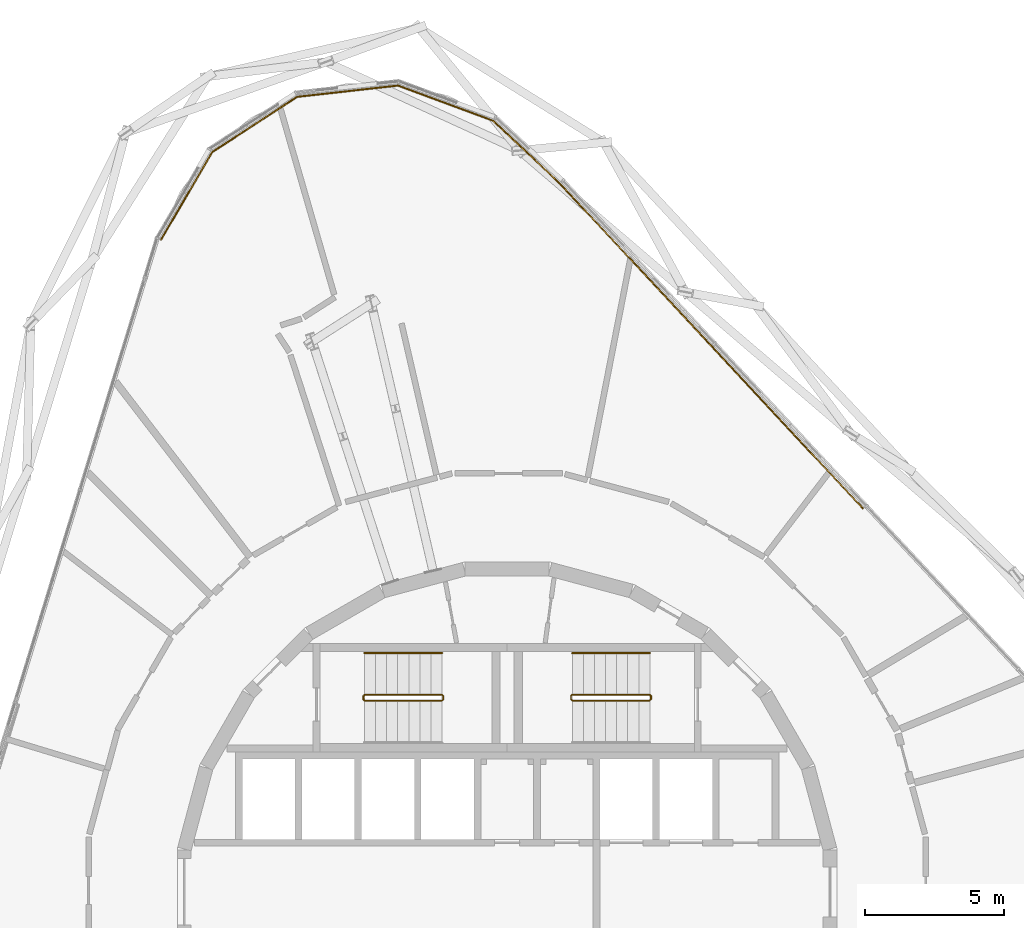
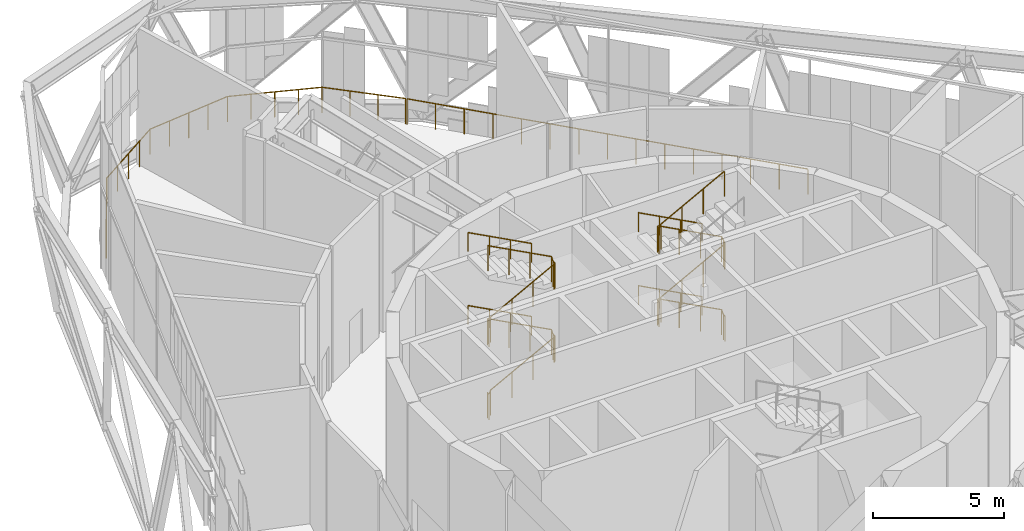
# One storey, part 25 of 25: 8 railings.
"""IFC4 building model written with IfcOpenShell, lengths in metres."""

from ifc_helpers import new_model, si_unit, direction, frame, origin, origin_2d, place, context, subcontext, project, spatial, circle, extrude, material, type_object, element, save


model = new_model("IFC4")

# Units and contexts
model_context = context("Model", 3, precision=1e-05, world=origin(), true_north=direction((0.0, 1.0)))
body_context = subcontext(model_context, "Body", "Model", "MODEL_VIEW")
ifc_project = project(units=[si_unit("LENGTHUNIT", "METRE"), si_unit("AREAUNIT", "SQUARE_METRE"), si_unit("VOLUMEUNIT", "CUBIC_METRE"), si_unit("PLANEANGLEUNIT", "RADIAN"), si_unit("MASSUNIT", "GRAM", prefix="KILO")], contexts=[model_context])

# Site, building, storey
site_placement = place(None, origin())
site = spatial("IfcSite", under=ifc_project, at=site_placement, CompositionType="ELEMENT")
building_placement = place(site_placement, origin())
building = spatial("IfcBuilding", under=site, at=building_placement, Name="Spindle Arch Residences", CompositionType="ELEMENT")
storey_placement = place(building_placement, frame((0.0, 0.0, 144.89990234375)))
storey = spatial("IfcBuildingStorey", under=building, at=storey_placement, Name="L36", CompositionType="ELEMENT", Elevation=144.89990234375)

# Railings
ifc_material_1 = material(Name="Bronze anodised aluminium guard with glass infill", Category="aluminium")
railing_type_1 = type_object("IfcRailingType", Name="Facade guard 1200", PredefinedType="GUARDRAIL", material=ifc_material_1)
railing_1_placement = place(storey_placement, frame((12.83154296875, 13.83642578125, 0.0)))
element("IfcRailing", 1, at=railing_1_placement, inside=storey, type_object=railing_type_1, Name="Facade guard L36 2", PredefinedType="GUARDRAIL", context=body_context, shape_type="SweptSolid", body=[
    extrude(circle(Radius=0.02392578125, at=origin_2d()), frame((0.0, 0.0, 1.17578125), z_axis=(-0.681991948358, 0.731359680578, 0.0), x_axis=(-0.731359680578, -0.681991948358, 0.0)), (0.0, 0.0, 1.0), 15.998291015625),
    extrude(circle(Radius=0.02099609375, at=origin_2d()), origin(), (0.0, 0.0, 1.0), 1.15185546875),
    extrude(circle(Radius=0.02099609375, at=origin_2d()), frame((-0.779296875, 0.835693359375, 0.0)), (0.0, 0.0, 1.0), 1.15185546875),
    extrude(circle(Radius=0.02099609375, at=origin_2d()), frame((-1.55859375, 1.67138671875, 0.0)), (0.0, 0.0, 1.0), 1.15185546875),
    extrude(circle(Radius=0.02099609375, at=origin_2d()), frame((-2.337890625, 2.50732421875, 0.0)), (0.0, 0.0, 1.0), 1.15185546875),
    extrude(circle(Radius=0.02099609375, at=origin_2d()), frame((-3.117431640625, 3.343017578125, 0.0)), (0.0, 0.0, 1.0), 1.15185546875),
    extrude(circle(Radius=0.02099609375, at=origin_2d()), frame((-3.896728515625, 4.1787109375, 0.0)), (0.0, 0.0, 1.0), 1.15185546875),
    extrude(circle(Radius=0.02099609375, at=origin_2d()), frame((-4.676025390625, 5.014404296875, 0.0)), (0.0, 0.0, 1.0), 1.15185546875),
    extrude(circle(Radius=0.02099609375, at=origin_2d()), frame((-5.455322265625, 5.85009765625, 0.0)), (0.0, 0.0, 1.0), 1.15185546875),
    extrude(circle(Radius=0.02099609375, at=origin_2d()), frame((-6.234619140625, 6.68603515625, 0.0)), (0.0, 0.0, 1.0), 1.15185546875),
    extrude(circle(Radius=0.02099609375, at=origin_2d()), frame((-7.013916015625, 7.521728515625, 0.0)), (0.0, 0.0, 1.0), 1.15185546875),
    extrude(circle(Radius=0.02099609375, at=origin_2d()), frame((-7.793212890625, 8.357421875, 0.0)), (0.0, 0.0, 1.0), 1.15185546875),
    extrude(circle(Radius=0.02099609375, at=origin_2d()), frame((-8.57275390625, 9.193115234375, 0.0)), (0.0, 0.0, 1.0), 1.15185546875),
    extrude(circle(Radius=0.02099609375, at=origin_2d()), frame((-9.35205078125, 10.029052734375, 0.0)), (0.0, 0.0, 1.0), 1.15185546875),
    extrude(circle(Radius=0.02099609375, at=origin_2d()), frame((-10.13134765625, 10.86474609375, 0.0)), (0.0, 0.0, 1.0), 1.15185546875),
    extrude(circle(Radius=0.02099609375, at=origin_2d()), frame((-10.91064453125, 11.700439453125, 0.0)), (0.0, 0.0, 1.0), 1.15185546875),
])
railing_2_placement = place(storey_placement, frame((1.885498046875, 25.572509765625, 0.0)))
element("IfcRailing", 2, at=railing_2_placement, inside=storey, type_object=railing_type_1, Name="Facade guard L36 3", PredefinedType="GUARDRAIL", context=body_context, shape_type="SweptSolid", body=[
    extrude(circle(Radius=0.02392578125, at=origin_2d()), frame((0.0, 0.0, 1.17578125), z_axis=(-0.72826996669, 0.685290344027, 0.0), x_axis=(-0.685290344027, -0.72826996669, 0.0)), (0.0, 0.0, 1.0), 3.277587890625),
    extrude(circle(Radius=0.02392578125, at=origin_2d()), frame((-2.386962890625, 2.24609375, 1.17578125), z_axis=(-0.937709392777, 0.347420630788, 0.0), x_axis=(-0.347420630788, -0.937709392777, 0.0)), (0.0, 0.0, 1.0), 3.666015625),
    extrude(circle(Radius=0.02392578125, at=origin_2d()), frame((-5.82470703125, 3.519775390625, 1.17578125), z_axis=(-0.99382250735, -0.110981187074, 0.0), x_axis=(0.110981187074, -0.99382250735, 0.0)), (0.0, 0.0, 1.0), 3.65625),
    extrude(circle(Radius=0.02392578125, at=origin_2d()), frame((-9.458251953125, 3.114013671875, 1.17578125), z_axis=(-0.838294074339, -0.545218346103, 0.0), x_axis=(0.545218346103, -0.838294074339, 0.0)), (0.0, 0.0, 1.0), 3.65625),
    extrude(circle(Radius=0.02392578125, at=origin_2d()), frame((-12.523193359375, 1.12060546875, 1.17578125), z_axis=(-0.504464591672, -0.863432380531, 0.0), x_axis=(0.863432380531, -0.504464591672, 0.0)), (0.0, 0.0, 1.0), 3.65625),
    extrude(circle(Radius=0.02099609375, at=origin_2d()), origin(), (0.0, 0.0, 1.0), 1.15185546875),
    extrude(circle(Radius=0.02099609375, at=origin_2d()), frame((-0.795654296875, 0.748779296875, 0.0)), (0.0, 0.0, 1.0), 1.15185546875),
    extrude(circle(Radius=0.02099609375, at=origin_2d()), frame((-1.59130859375, 1.497314453125, 0.0)), (0.0, 0.0, 1.0), 1.15185546875),
    extrude(circle(Radius=0.02099609375, at=origin_2d()), frame((-2.386962890625, 2.24609375, 0.0)), (0.0, 0.0, 1.0), 1.15185546875),
    extrude(circle(Radius=0.02099609375, at=origin_2d()), frame((-3.246337890625, 2.564453125, 0.0)), (0.0, 0.0, 1.0), 1.15185546875),
    extrude(circle(Radius=0.02099609375, at=origin_2d()), frame((-4.10595703125, 2.8828125, 0.0)), (0.0, 0.0, 1.0), 1.15185546875),
    extrude(circle(Radius=0.02099609375, at=origin_2d()), frame((-4.96533203125, 3.201416015625, 0.0)), (0.0, 0.0, 1.0), 1.15185546875),
    extrude(circle(Radius=0.02099609375, at=origin_2d()), frame((-5.82470703125, 3.519775390625, 0.0)), (0.0, 0.0, 1.0), 1.15185546875),
    extrude(circle(Radius=0.02099609375, at=origin_2d()), frame((-6.733154296875, 3.41845703125, 0.0)), (0.0, 0.0, 1.0), 1.15185546875),
    extrude(circle(Radius=0.02099609375, at=origin_2d()), frame((-7.6416015625, 3.31689453125, 0.0)), (0.0, 0.0, 1.0), 1.15185546875),
    extrude(circle(Radius=0.02099609375, at=origin_2d()), frame((-8.5498046875, 3.21533203125, 0.0)), (0.0, 0.0, 1.0), 1.15185546875),
    extrude(circle(Radius=0.02099609375, at=origin_2d()), frame((-9.458251953125, 3.114013671875, 0.0)), (0.0, 0.0, 1.0), 1.15185546875),
    extrude(circle(Radius=0.02099609375, at=origin_2d()), frame((-10.224609375, 2.61572265625, 0.0)), (0.0, 0.0, 1.0), 1.15185546875),
    extrude(circle(Radius=0.02099609375, at=origin_2d()), frame((-10.99072265625, 2.1171875, 0.0)), (0.0, 0.0, 1.0), 1.15185546875),
    extrude(circle(Radius=0.02099609375, at=origin_2d()), frame((-11.7568359375, 1.618896484375, 0.0)), (0.0, 0.0, 1.0), 1.15185546875),
    extrude(circle(Radius=0.02099609375, at=origin_2d()), frame((-12.523193359375, 1.12060546875, 0.0)), (0.0, 0.0, 1.0), 1.15185546875),
    extrude(circle(Radius=0.02099609375, at=origin_2d()), frame((-12.984375, 0.331298828125, 0.0)), (0.0, 0.0, 1.0), 1.15185546875),
    extrude(circle(Radius=0.02099609375, at=origin_2d()), frame((-13.4453125, -0.4580078125, 0.0)), (0.0, 0.0, 1.0), 1.15185546875),
    extrude(circle(Radius=0.02099609375, at=origin_2d()), frame((-13.906494140625, -1.2470703125, 0.0)), (0.0, 0.0, 1.0), 1.15185546875),
    extrude(circle(Radius=0.02099609375, at=origin_2d()), frame((-14.36767578125, -2.036376953125, 0.0)), (0.0, 0.0, 1.0), 1.15185546875),
])
ifc_material_2 = material(Name="Steel, painted", Category="steel")
railing_type_2 = type_object("IfcRailingType", Name="Stair guard 1100", PredefinedType="GUARDRAIL", material=ifc_material_2)
railing_3_placement = place(storey_placement, frame((5.14990234375, 6.89990234375, 6.800048828125)))
element("IfcRailing", 3, at=railing_3_placement, inside=storey, type_object=railing_type_2, Name="L36 ST1 stair guard 1", PredefinedType="GUARDRAIL", context=body_context, shape_type="SweptSolid", body=[
    extrude(circle(Radius=0.02392578125, at=origin_2d()), frame((0.0, 0.0, 1.17578125), z_axis=(-0.883095778239, 0.0, -0.469192760447), x_axis=(0.0, -1.0, 0.0)), (0.0, 0.0, 1.0), 3.17041015625),
    extrude(circle(Radius=0.02392578125, at=origin_2d()), frame((-2.7998046875, 0.0, -0.3115234375), z_axis=(-0.223546962728, 0.223546962728, -0.948711500357), x_axis=(-0.707106781187, -0.707106781187, 0.0)), (0.0, 0.0, 1.0), 0.223876953125),
    extrude(circle(Radius=0.02392578125, at=origin_2d()), frame((-2.849853515625, 0.050048828125, -0.52392578125), z_axis=(0.0, 1.0, 0.0), x_axis=(-1.0, 0.0, 0.0)), (0.0, 0.0, 1.0), 0.1201171875),
    extrude(circle(Radius=0.02392578125, at=origin_2d()), frame((-2.849853515625, 0.170166015625, -0.52392578125), z_axis=(0.707106781187, 0.707106781187, 0.0), x_axis=(-0.707106781187, 0.707106781187, 0.0)), (0.0, 0.0, 1.0), 0.07080078125),
    extrude(circle(Radius=0.02392578125, at=origin_2d()), frame((-2.7998046875, 0.22021484375, -0.52392578125), z_axis=(0.883095778239, 0.0, -0.469192760447), x_axis=(0.0, 1.0, 0.0)), (0.0, 0.0, 1.0), 3.17041015625),
    extrude(circle(Radius=0.02392578125, at=origin_2d()), frame((0.0, 0.22021484375, -2.01171875), z_axis=(0.180861968005, -0.614930691216, -0.767560547142), x_axis=(0.959365501571, 0.282166323992, 0.0)), (0.0, 0.0, 1.0), 0.276611328125),
    extrude(circle(Radius=0.02392578125, at=origin_2d()), frame((0.050048828125, 0.050048828125, -2.22412109375), z_axis=(0.0, 1.0, 0.0), x_axis=(-1.0, 0.0, 0.0)), (0.0, 0.0, 1.0), 0.1201171875),
    extrude(circle(Radius=0.02392578125, at=origin_2d()), frame((0.050048828125, 0.170166015625, -2.22412109375), z_axis=(-0.282166323992, -0.959365501571, 0.0), x_axis=(0.959365501571, -0.282166323992, 0.0)), (0.0, 0.0, 1.0), 0.177490234375),
    extrude(circle(Radius=0.02392578125, at=origin_2d()), frame((0.0, 0.0, -2.22412109375), z_axis=(-0.883095778239, 0.0, -0.469192760447), x_axis=(0.0, -1.0, 0.0)), (0.0, 0.0, 1.0), 3.17041015625),
    extrude(circle(Radius=0.02392578125, at=origin_2d()), frame((-2.7998046875, 0.0, -3.71142578125), z_axis=(-0.223546962728, 0.223546962728, -0.948711500357), x_axis=(-0.707106781187, -0.707106781187, 0.0)), (0.0, 0.0, 1.0), 0.223876953125),
    extrude(circle(Radius=0.02392578125, at=origin_2d()), frame((-2.849853515625, 0.050048828125, -3.923828125), z_axis=(0.0, 1.0, 0.0), x_axis=(-1.0, 0.0, 0.0)), (0.0, 0.0, 1.0), 0.1201171875),
    extrude(circle(Radius=0.02392578125, at=origin_2d()), frame((-2.849853515625, 0.170166015625, -3.923828125), z_axis=(0.707106781187, 0.707106781187, 0.0), x_axis=(-0.707106781187, 0.707106781187, 0.0)), (0.0, 0.0, 1.0), 0.07080078125),
    extrude(circle(Radius=0.02392578125, at=origin_2d()), frame((-2.7998046875, 0.22021484375, -3.923828125), z_axis=(0.883095778239, 0.0, -0.469192760447), x_axis=(0.0, 1.0, 0.0)), (0.0, 0.0, 1.0), 3.17041015625),
    extrude(circle(Radius=0.02392578125, at=origin_2d()), frame((0.0, 0.22021484375, -5.41162109375), z_axis=(0.223315919267, -0.223315919267, -0.9488203204), x_axis=(0.707106781187, 0.707106781187, 0.0)), (0.0, 0.0, 1.0), 0.22412109375),
    extrude(circle(Radius=0.02392578125, at=origin_2d()), frame((0.050048828125, 0.170166015625, -5.6240234375), z_axis=(0.0, -1.0, 0.0), x_axis=(1.0, 0.0, 0.0)), (0.0, 0.0, 1.0), 0.1201171875),
    extrude(circle(Radius=0.02099609375, at=origin_2d()), origin(), (0.0, 0.0, 1.0), 1.15185546875),
    extrude(circle(Radius=0.02099609375, at=origin_2d()), frame((-0.933349609375, 0.0, -0.495849609375)), (0.0, 0.0, 1.0), 1.15185546875),
    extrude(circle(Radius=0.02099609375, at=origin_2d()), frame((-1.866455078125, 0.0, -0.99169921875)), (0.0, 0.0, 1.0), 1.15185546875),
    extrude(circle(Radius=0.02099609375, at=origin_2d()), frame((-2.7998046875, 0.0, -1.487548828125)), (0.0, 0.0, 1.0), 1.15185546875),
    extrude(circle(Radius=0.02099609375, at=origin_2d()), frame((-2.849853515625, 0.050048828125, -1.699951171875)), (0.0, 0.0, 1.0), 1.15185546875),
    extrude(circle(Radius=0.02099609375, at=origin_2d()), frame((-2.849853515625, 0.170166015625, -1.699951171875)), (0.0, 0.0, 1.0), 1.15185546875),
    extrude(circle(Radius=0.02099609375, at=origin_2d()), frame((-2.7998046875, 0.22021484375, -1.699951171875)), (0.0, 0.0, 1.0), 1.15185546875),
    extrude(circle(Radius=0.02099609375, at=origin_2d()), frame((-1.866455078125, 0.22021484375, -2.19580078125)), (0.0, 0.0, 1.0), 1.15185546875),
    extrude(circle(Radius=0.02099609375, at=origin_2d()), frame((-0.933349609375, 0.22021484375, -2.691650390625)), (0.0, 0.0, 1.0), 1.15185546875),
    extrude(circle(Radius=0.02099609375, at=origin_2d()), frame((0.0, 0.22021484375, -3.1875)), (0.0, 0.0, 1.0), 1.15185546875),
    extrude(circle(Radius=0.02099609375, at=origin_2d()), frame((0.050048828125, 0.050048828125, -3.39990234375)), (0.0, 0.0, 1.0), 1.15185546875),
    extrude(circle(Radius=0.02099609375, at=origin_2d()), frame((0.050048828125, 0.170166015625, -3.39990234375)), (0.0, 0.0, 1.0), 1.15185546875),
    extrude(circle(Radius=0.02099609375, at=origin_2d()), frame((0.0, 0.0, -3.39990234375)), (0.0, 0.0, 1.0), 1.15185546875),
    extrude(circle(Radius=0.02099609375, at=origin_2d()), frame((-0.933349609375, 0.0, -3.895751953125)), (0.0, 0.0, 1.0), 1.15185546875),
    extrude(circle(Radius=0.02099609375, at=origin_2d()), frame((-1.866455078125, 0.0, -4.3916015625)), (0.0, 0.0, 1.0), 1.15185546875),
    extrude(circle(Radius=0.02099609375, at=origin_2d()), frame((-2.7998046875, 0.0, -4.887451171875)), (0.0, 0.0, 1.0), 1.15185546875),
    extrude(circle(Radius=0.02099609375, at=origin_2d()), frame((-2.849853515625, 0.050048828125, -5.099853515625)), (0.0, 0.0, 1.0), 1.15185546875),
    extrude(circle(Radius=0.02099609375, at=origin_2d()), frame((-2.849853515625, 0.170166015625, -5.099853515625)), (0.0, 0.0, 1.0), 1.15185546875),
    extrude(circle(Radius=0.02099609375, at=origin_2d()), frame((-2.7998046875, 0.22021484375, -5.099853515625)), (0.0, 0.0, 1.0), 1.15185546875),
    extrude(circle(Radius=0.02099609375, at=origin_2d()), frame((-1.866455078125, 0.22021484375, -5.595703125)), (0.0, 0.0, 1.0), 1.15185546875),
    extrude(circle(Radius=0.02099609375, at=origin_2d()), frame((-0.933349609375, 0.22021484375, -6.091552734375)), (0.0, 0.0, 1.0), 1.15185546875),
    extrude(circle(Radius=0.02099609375, at=origin_2d()), frame((0.0, 0.22021484375, -6.58740234375)), (0.0, 0.0, 1.0), 1.15185546875),
    extrude(circle(Radius=0.02099609375, at=origin_2d()), frame((0.050048828125, 0.170166015625, -6.800048828125)), (0.0, 0.0, 1.0), 1.15185546875),
    extrude(circle(Radius=0.02099609375, at=origin_2d()), frame((0.050048828125, 0.050048828125, -6.800048828125)), (0.0, 0.0, 1.0), 1.15185546875),
])
railing_4_placement = place(storey_placement, frame((-5.14990234375, 7.1201171875, 6.800048828125)))
element("IfcRailing", 4, at=railing_4_placement, inside=storey, type_object=railing_type_2, Name="L36 ST2 stair guard 1", PredefinedType="GUARDRAIL", context=body_context, shape_type="SweptSolid", body=[
    extrude(circle(Radius=0.02392578125, at=origin_2d()), frame((0.0, 0.0, 1.17578125), z_axis=(0.883095778239, 0.0, -0.469192760447), x_axis=(0.0, 1.0, 0.0)), (0.0, 0.0, 1.0), 3.17041015625),
    extrude(circle(Radius=0.02392578125, at=origin_2d()), frame((2.7998046875, 0.0, -0.3115234375), z_axis=(0.223546962728, -0.223546962728, -0.948711500357), x_axis=(0.707106781187, 0.707106781187, 0.0)), (0.0, 0.0, 1.0), 0.223876953125),
    extrude(circle(Radius=0.02392578125, at=origin_2d()), frame((2.849853515625, -0.050048828125, -0.52392578125), z_axis=(0.0, -1.0, 0.0), x_axis=(1.0, 0.0, 0.0)), (0.0, 0.0, 1.0), 0.1201171875),
    extrude(circle(Radius=0.02392578125, at=origin_2d()), frame((2.849853515625, -0.170166015625, -0.52392578125), z_axis=(-0.707106781187, -0.707106781187, 0.0), x_axis=(0.707106781187, -0.707106781187, 0.0)), (0.0, 0.0, 1.0), 0.07080078125),
    extrude(circle(Radius=0.02392578125, at=origin_2d()), frame((2.7998046875, -0.22021484375, -0.52392578125), z_axis=(-0.883095778239, 0.0, -0.469192760447), x_axis=(0.0, -1.0, 0.0)), (0.0, 0.0, 1.0), 3.17041015625),
    extrude(circle(Radius=0.02392578125, at=origin_2d()), frame((0.0, -0.22021484375, -2.01171875), z_axis=(-0.180861968005, 0.614930691216, -0.767560547142), x_axis=(-0.959365501571, -0.282166323992, 0.0)), (0.0, 0.0, 1.0), 0.276611328125),
    extrude(circle(Radius=0.02392578125, at=origin_2d()), frame((-0.050048828125, -0.050048828125, -2.22412109375), z_axis=(0.0, -1.0, 0.0), x_axis=(1.0, 0.0, 0.0)), (0.0, 0.0, 1.0), 0.1201171875),
    extrude(circle(Radius=0.02392578125, at=origin_2d()), frame((-0.050048828125, -0.170166015625, -2.22412109375), z_axis=(0.282166323992, 0.959365501571, 0.0), x_axis=(-0.959365501571, 0.282166323992, 0.0)), (0.0, 0.0, 1.0), 0.177490234375),
    extrude(circle(Radius=0.02392578125, at=origin_2d()), frame((0.0, 0.0, -2.22412109375), z_axis=(0.883095778239, 0.0, -0.469192760447), x_axis=(0.0, 1.0, 0.0)), (0.0, 0.0, 1.0), 3.17041015625),
    extrude(circle(Radius=0.02392578125, at=origin_2d()), frame((2.7998046875, 0.0, -3.71142578125), z_axis=(0.223546962728, -0.223546962728, -0.948711500357), x_axis=(0.707106781187, 0.707106781187, 0.0)), (0.0, 0.0, 1.0), 0.223876953125),
    extrude(circle(Radius=0.02392578125, at=origin_2d()), frame((2.849853515625, -0.050048828125, -3.923828125), z_axis=(0.0, -1.0, 0.0), x_axis=(1.0, 0.0, 0.0)), (0.0, 0.0, 1.0), 0.1201171875),
    extrude(circle(Radius=0.02392578125, at=origin_2d()), frame((2.849853515625, -0.170166015625, -3.923828125), z_axis=(-0.707106781187, -0.707106781187, 0.0), x_axis=(0.707106781187, -0.707106781187, 0.0)), (0.0, 0.0, 1.0), 0.07080078125),
    extrude(circle(Radius=0.02392578125, at=origin_2d()), frame((2.7998046875, -0.22021484375, -3.923828125), z_axis=(-0.883095778239, 0.0, -0.469192760447), x_axis=(0.0, -1.0, 0.0)), (0.0, 0.0, 1.0), 3.17041015625),
    extrude(circle(Radius=0.02392578125, at=origin_2d()), frame((0.0, -0.22021484375, -5.41162109375), z_axis=(-0.223315919267, 0.223315919267, -0.9488203204), x_axis=(-0.707106781187, -0.707106781187, 0.0)), (0.0, 0.0, 1.0), 0.22412109375),
    extrude(circle(Radius=0.02392578125, at=origin_2d()), frame((-0.050048828125, -0.170166015625, -5.6240234375), z_axis=(0.0, 1.0, 0.0), x_axis=(-1.0, 0.0, 0.0)), (0.0, 0.0, 1.0), 0.1201171875),
    extrude(circle(Radius=0.02099609375, at=origin_2d()), origin(), (0.0, 0.0, 1.0), 1.15185546875),
    extrude(circle(Radius=0.02099609375, at=origin_2d()), frame((0.933349609375, 0.0, -0.495849609375)), (0.0, 0.0, 1.0), 1.15185546875),
    extrude(circle(Radius=0.02099609375, at=origin_2d()), frame((1.866455078125, 0.0, -0.99169921875)), (0.0, 0.0, 1.0), 1.15185546875),
    extrude(circle(Radius=0.02099609375, at=origin_2d()), frame((2.7998046875, 0.0, -1.487548828125)), (0.0, 0.0, 1.0), 1.15185546875),
    extrude(circle(Radius=0.02099609375, at=origin_2d()), frame((2.849853515625, -0.050048828125, -1.699951171875)), (0.0, 0.0, 1.0), 1.15185546875),
    extrude(circle(Radius=0.02099609375, at=origin_2d()), frame((2.849853515625, -0.170166015625, -1.699951171875)), (0.0, 0.0, 1.0), 1.15185546875),
    extrude(circle(Radius=0.02099609375, at=origin_2d()), frame((2.7998046875, -0.22021484375, -1.699951171875)), (0.0, 0.0, 1.0), 1.15185546875),
    extrude(circle(Radius=0.02099609375, at=origin_2d()), frame((1.866455078125, -0.22021484375, -2.19580078125)), (0.0, 0.0, 1.0), 1.15185546875),
    extrude(circle(Radius=0.02099609375, at=origin_2d()), frame((0.933349609375, -0.22021484375, -2.691650390625)), (0.0, 0.0, 1.0), 1.15185546875),
    extrude(circle(Radius=0.02099609375, at=origin_2d()), frame((0.0, -0.22021484375, -3.1875)), (0.0, 0.0, 1.0), 1.15185546875),
    extrude(circle(Radius=0.02099609375, at=origin_2d()), frame((-0.050048828125, -0.050048828125, -3.39990234375)), (0.0, 0.0, 1.0), 1.15185546875),
    extrude(circle(Radius=0.02099609375, at=origin_2d()), frame((-0.050048828125, -0.170166015625, -3.39990234375)), (0.0, 0.0, 1.0), 1.15185546875),
    extrude(circle(Radius=0.02099609375, at=origin_2d()), frame((0.0, 0.0, -3.39990234375)), (0.0, 0.0, 1.0), 1.15185546875),
    extrude(circle(Radius=0.02099609375, at=origin_2d()), frame((0.933349609375, 0.0, -3.895751953125)), (0.0, 0.0, 1.0), 1.15185546875),
    extrude(circle(Radius=0.02099609375, at=origin_2d()), frame((1.866455078125, 0.0, -4.3916015625)), (0.0, 0.0, 1.0), 1.15185546875),
    extrude(circle(Radius=0.02099609375, at=origin_2d()), frame((2.7998046875, 0.0, -4.887451171875)), (0.0, 0.0, 1.0), 1.15185546875),
    extrude(circle(Radius=0.02099609375, at=origin_2d()), frame((2.849853515625, -0.050048828125, -5.099853515625)), (0.0, 0.0, 1.0), 1.15185546875),
    extrude(circle(Radius=0.02099609375, at=origin_2d()), frame((2.849853515625, -0.170166015625, -5.099853515625)), (0.0, 0.0, 1.0), 1.15185546875),
    extrude(circle(Radius=0.02099609375, at=origin_2d()), frame((2.7998046875, -0.22021484375, -5.099853515625)), (0.0, 0.0, 1.0), 1.15185546875),
    extrude(circle(Radius=0.02099609375, at=origin_2d()), frame((1.866455078125, -0.22021484375, -5.595703125)), (0.0, 0.0, 1.0), 1.15185546875),
    extrude(circle(Radius=0.02099609375, at=origin_2d()), frame((0.933349609375, -0.22021484375, -6.091552734375)), (0.0, 0.0, 1.0), 1.15185546875),
    extrude(circle(Radius=0.02099609375, at=origin_2d()), frame((0.0, -0.22021484375, -6.58740234375)), (0.0, 0.0, 1.0), 1.15185546875),
    extrude(circle(Radius=0.02099609375, at=origin_2d()), frame((-0.050048828125, -0.170166015625, -6.800048828125)), (0.0, 0.0, 1.0), 1.15185546875),
    extrude(circle(Radius=0.02099609375, at=origin_2d()), frame((-0.050048828125, -0.050048828125, -6.800048828125)), (0.0, 0.0, 1.0), 1.15185546875),
])
ifc_material_3 = material(Name="Steel, painted", Category="steel")
railing_type_3 = type_object("IfcRailingType", Name="Stair handrail 900", PredefinedType="HANDRAIL", material=ifc_material_3)
for number, where, name in (
    (5, (5.14990234375, 8.6201171875, 0.212646484375), "L36 ST1 stair handrail 1"),
    (6, (5.14990234375, 8.6201171875, 3.612548828125), "L36 ST1 stair handrail 3"),
    (7, (-2.35009765625, 8.6201171875, 1.91259765625), "L36 ST2 stair handrail 2"),
    (8, (-2.35009765625, 8.6201171875, 5.3125), "L36 ST2 stair handrail 4"),
):
    element("IfcRailing", number, at=place(storey_placement, frame(where)), inside=storey, type_object=railing_type_3, Name=name, PredefinedType="HANDRAIL", context=body_context, shape_type="SweptSolid", body=[
        extrude(circle(Radius=0.02392578125, at=origin_2d()), frame((0.0, 0.0, 0.8759765625), z_axis=(-0.883095778239, 0.0, 0.469192760447), x_axis=(0.0, -1.0, 0.0)), (0.0, 0.0, 1.0), 3.17041015625),
        extrude(circle(Radius=0.02099609375, at=origin_2d()), origin(), (0.0, 0.0, 1.0), 0.851806640625),
        extrude(circle(Radius=0.02099609375, at=origin_2d()), frame((-0.933349609375, 0.0, 0.495849609375)), (0.0, 0.0, 1.0), 0.851806640625),
        extrude(circle(Radius=0.02099609375, at=origin_2d()), frame((-1.866455078125, 0.0, 0.99169921875)), (0.0, 0.0, 1.0), 0.851806640625),
        extrude(circle(Radius=0.02099609375, at=origin_2d()), frame((-2.7998046875, 0.0, 1.487548828125)), (0.0, 0.0, 1.0), 0.851806640625),
    ])

save(model, "model.ifc")
